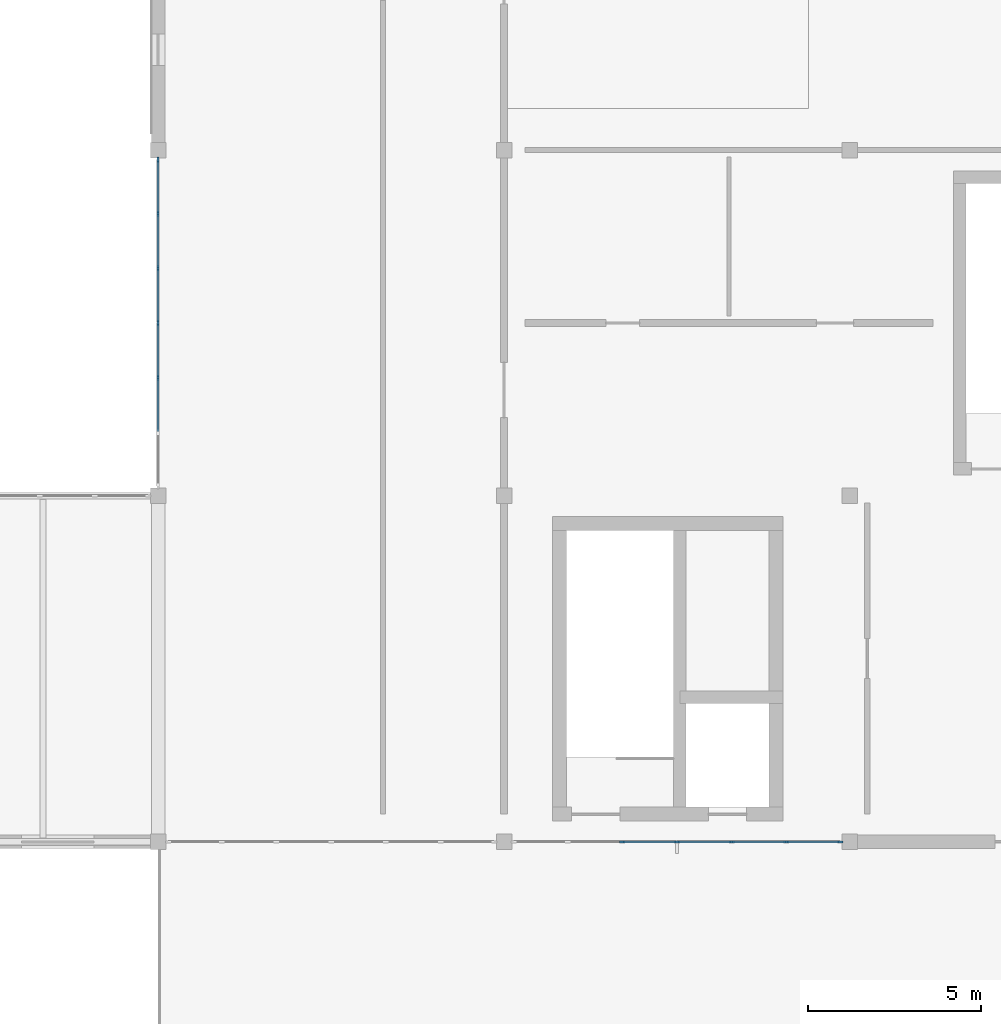
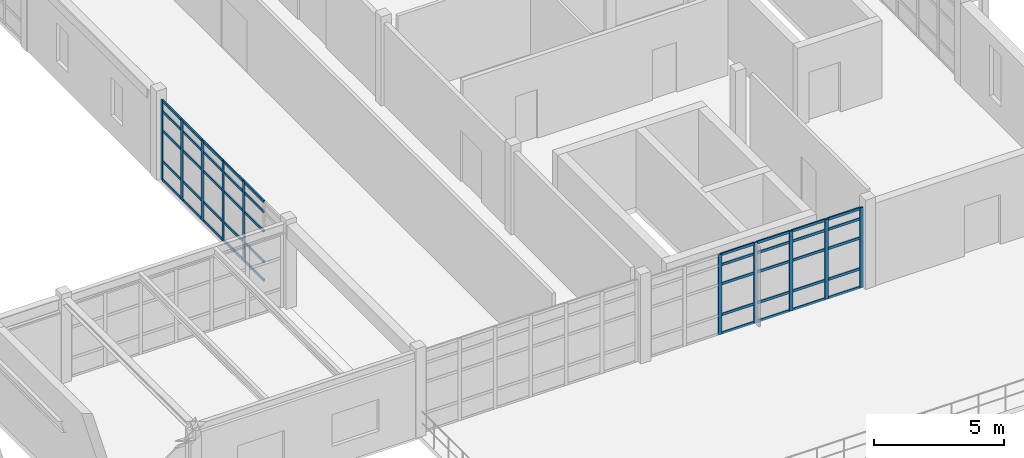
# One storey, part 61 of 122: 55 members, 2 elements without a shape of their own.
"""IFC4 building model written with IfcOpenShell, lengths in metres."""

from ifc_helpers import new_model, si_unit, direction, frame, origin, origin_2d, place, context, subcontext, project, spatial, rectangle, extrude, material, layer, layer_set, material_profile, profile_set, type_object, element, aggregate, save


model = new_model("IFC4")

# Units and contexts
model_context = context("Model", 3, precision=1e-05, world=origin(), true_north=direction((0.0, 1.0)))
body_context = subcontext(model_context, "Body", "Model", "MODEL_VIEW")
ifc_project = project(units=[si_unit("LENGTHUNIT", "METRE"), si_unit("AREAUNIT", "SQUARE_METRE"), si_unit("VOLUMEUNIT", "CUBIC_METRE"), si_unit("PLANEANGLEUNIT", "RADIAN"), si_unit("MASSUNIT", "GRAM", prefix="KILO"), si_unit("THERMODYNAMICTEMPERATUREUNIT", "KELVIN"), si_unit("POWERUNIT", "WATT")], contexts=[model_context])

# Site, building, storey
site_placement = place(None, origin())
site = spatial("IfcSite", under=ifc_project, at=site_placement, CompositionType="ELEMENT")
building_placement = place(site_placement, origin())
building = spatial("IfcBuilding", under=site, at=building_placement, Name="Korenveer Ferry Terminal", CompositionType="ELEMENT")
storey_placement = place(building_placement, frame((0.0, 0.0, 10.199951171875)))
storey = spatial("IfcBuildingStorey", under=building, at=storey_placement, Name="L02", CompositionType="ELEMENT", Elevation=10.199951171875)

# Curtain wall, members
ifc_material_1 = material(Name="Unitised bronze-and-glass curtain wall", Category="glass")
ifc_layer = layer(ifc_material_1, 0.159912109375)
ifc_layer_set = layer_set([ifc_layer], Name="Unitised bronze-and-glass curtain wall")
curtain_wall_type = type_object("IfcCurtainWallType", Name="ENV-CW-87", PredefinedType="USERDEFINED", material=ifc_layer_set)
curtain_wall_1_placement = place(storey_placement, frame((156.2548828125, 20.0, 0.0)))
curtain_wall_1 = element("IfcCurtainWall", 1, at=curtain_wall_1_placement, inside=storey, type_object=curtain_wall_type, Name="Lancet curtain wall CWX-L02-X156-166-Y20-20", ObjectType="UNITISED CURTAIN WALL", PredefinedType="USERDEFINED")
ifc_material_2 = material(Name="Anodised bronze aluminium", Category="aluminium")
ifc_material_profile_1 = material_profile(ifc_material_2, rectangle(XDim=0.06005859375, YDim=0.159912109375, at=origin_2d()), Name="ALU 60x160")
ifc_profile_set_1 = profile_set([ifc_material_profile_1], Name="Anodised bronze aluminium")
member_type_1 = type_object("IfcMemberType", Name="ENV-CWM-60X160", PredefinedType="MULLION", material=ifc_profile_set_1)
member_1_placement = place(storey_placement, frame((159.418212890625, 20.0, 0.0), z_axis=(0.0, 0.0, 1.0), x_axis=(0.0, 1.0, 0.0)))
member_1 = element("IfcMember", 2, at=member_1_placement, type_object=member_type_1, Name="CW-87 mullion 3", PredefinedType="MULLION", context=body_context, shape_type="SweptSolid", body=[
    extrude(rectangle(XDim=0.06005859375, YDim=0.159912109375, at=origin_2d()), origin(), (0.0, 0.0, 1.0), 3.760009765625),
])
member_2_placement = place(storey_placement, frame((161.0, 20.0, 0.0), z_axis=(0.0, 0.0, 1.0), x_axis=(0.0, 1.0, 0.0)))
member_2 = element("IfcMember", 3, at=member_2_placement, type_object=member_type_1, Name="CW-87 mullion 4", PredefinedType="MULLION", context=body_context, shape_type="SweptSolid", body=[
    extrude(rectangle(XDim=0.06005859375, YDim=0.159912109375, at=origin_2d()), origin(), (0.0, 0.0, 1.0), 3.760009765625),
])
member_3_placement = place(storey_placement, frame((162.581787109375, 20.0, 0.0), z_axis=(0.0, 0.0, 1.0), x_axis=(0.0, 1.0, 0.0)))
member_3 = element("IfcMember", 4, at=member_3_placement, type_object=member_type_1, Name="CW-87 mullion 5", PredefinedType="MULLION", context=body_context, shape_type="SweptSolid", body=[
    extrude(rectangle(XDim=0.06005859375, YDim=0.159912109375, at=origin_2d()), origin(), (0.0, 0.0, 1.0), 3.760009765625),
])
member_4_placement = place(storey_placement, frame((164.163330078125, 20.0, 0.0), z_axis=(0.0, 0.0, 1.0), x_axis=(0.0, 1.0, 0.0)))
member_4 = element("IfcMember", 5, at=member_4_placement, type_object=member_type_1, Name="CW-87 mullion 6", PredefinedType="MULLION", context=body_context, shape_type="SweptSolid", body=[
    extrude(rectangle(XDim=0.06005859375, YDim=0.159912109375, at=origin_2d()), origin(), (0.0, 0.0, 1.0), 3.760009765625),
])
member_5_placement = place(storey_placement, frame((165.715087890625, 20.0, 0.0), z_axis=(0.0, 0.0, 1.0), x_axis=(0.0, 1.0, 0.0)))
member_5 = element("IfcMember", 6, at=member_5_placement, type_object=member_type_1, Name="CW-87 mullion 7", PredefinedType="MULLION", context=body_context, shape_type="SweptSolid", body=[
    extrude(rectangle(XDim=0.06005859375, YDim=0.159912109375, at=origin_2d()), origin(), (0.0, 0.0, 1.0), 3.760009765625),
])

curtain_wall_2_placement = place(storey_placement, frame((146.0, 30.2548828125, 0.0)))
curtain_wall_2 = element("IfcCurtainWall", 7, at=curtain_wall_2_placement, inside=storey, type_object=curtain_wall_type, Name="Lancet curtain wall CWX-L02-X146-146-Y30-40", ObjectType="UNITISED CURTAIN WALL", PredefinedType="USERDEFINED")
member_6_placement = place(storey_placement, frame((146.0, 33.418212890625, 0.0), z_axis=(0.0, 0.0, 1.0), x_axis=(-1.0, 0.0, 0.0)))
member_6 = element("IfcMember", 8, at=member_6_placement, type_object=member_type_1, Name="CW-87 mullion 3", PredefinedType="MULLION", context=body_context, shape_type="SweptSolid", body=[
    extrude(rectangle(XDim=0.06005859375, YDim=0.159912109375, at=origin_2d()), origin(), (0.0, 0.0, 1.0), 3.760009765625),
])
member_7_placement = place(storey_placement, frame((146.0, 35.0, 0.0), z_axis=(0.0, 0.0, 1.0), x_axis=(-1.0, 0.0, 0.0)))
member_7 = element("IfcMember", 9, at=member_7_placement, type_object=member_type_1, Name="CW-87 mullion 4", PredefinedType="MULLION", context=body_context, shape_type="SweptSolid", body=[
    extrude(rectangle(XDim=0.06005859375, YDim=0.159912109375, at=origin_2d()), origin(), (0.0, 0.0, 1.0), 3.760009765625),
])
member_8_placement = place(storey_placement, frame((146.0, 36.581787109375, 0.0), z_axis=(0.0, 0.0, 1.0), x_axis=(-1.0, 0.0, 0.0)))
member_8 = element("IfcMember", 10, at=member_8_placement, type_object=member_type_1, Name="CW-87 mullion 5", PredefinedType="MULLION", context=body_context, shape_type="SweptSolid", body=[
    extrude(rectangle(XDim=0.06005859375, YDim=0.159912109375, at=origin_2d()), origin(), (0.0, 0.0, 1.0), 3.760009765625),
])
member_9_placement = place(storey_placement, frame((146.0, 38.163330078125, 0.0), z_axis=(0.0, 0.0, 1.0), x_axis=(-1.0, 0.0, 0.0)))
member_9 = element("IfcMember", 11, at=member_9_placement, type_object=member_type_1, Name="CW-87 mullion 6", PredefinedType="MULLION", context=body_context, shape_type="SweptSolid", body=[
    extrude(rectangle(XDim=0.06005859375, YDim=0.159912109375, at=origin_2d()), origin(), (0.0, 0.0, 1.0), 3.760009765625),
])
member_10_placement = place(storey_placement, frame((146.0, 39.715087890625, 0.0), z_axis=(0.0, 0.0, 1.0), x_axis=(-1.0, 0.0, 0.0)))
member_10 = element("IfcMember", 12, at=member_10_placement, type_object=member_type_1, Name="CW-87 mullion 7", PredefinedType="MULLION", context=body_context, shape_type="SweptSolid", body=[
    extrude(rectangle(XDim=0.06005859375, YDim=0.159912109375, at=origin_2d()), origin(), (0.0, 0.0, 1.0), 3.760009765625),
])

# Member
ifc_material_profile_2 = material_profile(ifc_material_2, rectangle(XDim=0.06005859375, YDim=0.1201171875, at=origin_2d()), Name="ALU 60x120")
ifc_profile_set_2 = profile_set([ifc_material_profile_2], Name="Anodised bronze aluminium")
member_type_2 = type_object("IfcMemberType", Name="ENV-CWT-60X120", PredefinedType="USERDEFINED", material=ifc_profile_set_2)
member_11_placement = place(storey_placement, frame((159.4482421875, 20.0, 0.030029296875), z_axis=(1.0, 0.0, 0.0), x_axis=(0.0, 1.0, 0.0)))
member_11 = element("IfcMember", 13, at=member_11_placement, type_object=member_type_2, Name="CW-87 transom 3.1", ObjectType="TRANSOM", PredefinedType="USERDEFINED", context=body_context, shape_type="SweptSolid", body=[
    extrude(rectangle(XDim=0.06005859375, YDim=0.1201171875, at=origin_2d()), origin(), (0.0, 0.0, 1.0), 1.521728515625),
])

member_12_placement = place(storey_placement, frame((159.4482421875, 20.0, 0.900146484375), z_axis=(1.0, 0.0, 0.0), x_axis=(0.0, 1.0, 0.0)))
member_12 = element("IfcMember", 14, at=member_12_placement, type_object=member_type_2, Name="CW-87 transom 3.2", ObjectType="TRANSOM", PredefinedType="USERDEFINED", context=body_context, shape_type="SweptSolid", body=[
    extrude(rectangle(XDim=0.06005859375, YDim=0.1201171875, at=origin_2d()), origin(), (0.0, 0.0, 1.0), 1.521728515625),
])

member_13_placement = place(storey_placement, frame((159.4482421875, 20.0, 2.35009765625), z_axis=(1.0, 0.0, 0.0), x_axis=(0.0, 1.0, 0.0)))
member_13 = element("IfcMember", 15, at=member_13_placement, type_object=member_type_2, Name="CW-87 transom 3.3", ObjectType="TRANSOM", PredefinedType="USERDEFINED", context=body_context, shape_type="SweptSolid", body=[
    extrude(rectangle(XDim=0.06005859375, YDim=0.1201171875, at=origin_2d()), origin(), (0.0, 0.0, 1.0), 1.521728515625),
])

member_14_placement = place(storey_placement, frame((159.4482421875, 20.0, 3.25), z_axis=(1.0, 0.0, 0.0), x_axis=(0.0, 1.0, 0.0)))
member_14 = element("IfcMember", 16, at=member_14_placement, type_object=member_type_2, Name="CW-87 transom 3.4", ObjectType="TRANSOM", PredefinedType="USERDEFINED", context=body_context, shape_type="SweptSolid", body=[
    extrude(rectangle(XDim=0.06005859375, YDim=0.1201171875, at=origin_2d()), origin(), (0.0, 0.0, 1.0), 1.521728515625),
])

member_15_placement = place(storey_placement, frame((159.4482421875, 20.0, 3.72998046875), z_axis=(1.0, 0.0, 0.0), x_axis=(0.0, 1.0, 0.0)))
member_15 = element("IfcMember", 17, at=member_15_placement, type_object=member_type_2, Name="CW-87 transom 3.5", ObjectType="TRANSOM", PredefinedType="USERDEFINED", context=body_context, shape_type="SweptSolid", body=[
    extrude(rectangle(XDim=0.06005859375, YDim=0.1201171875, at=origin_2d()), origin(), (0.0, 0.0, 1.0), 1.521728515625),
])

member_16_placement = place(storey_placement, frame((161.030029296875, 20.0, 0.030029296875), z_axis=(1.0, 0.0, 0.0), x_axis=(0.0, 1.0, 0.0)))
member_16 = element("IfcMember", 18, at=member_16_placement, type_object=member_type_2, Name="CW-87 transom 4.1", ObjectType="TRANSOM", PredefinedType="USERDEFINED", context=body_context, shape_type="SweptSolid", body=[
    extrude(rectangle(XDim=0.06005859375, YDim=0.1201171875, at=origin_2d()), origin(), (0.0, 0.0, 1.0), 1.521728515625),
])

member_17_placement = place(storey_placement, frame((161.030029296875, 20.0, 0.900146484375), z_axis=(1.0, 0.0, 0.0), x_axis=(0.0, 1.0, 0.0)))
member_17 = element("IfcMember", 19, at=member_17_placement, type_object=member_type_2, Name="CW-87 transom 4.2", ObjectType="TRANSOM", PredefinedType="USERDEFINED", context=body_context, shape_type="SweptSolid", body=[
    extrude(rectangle(XDim=0.06005859375, YDim=0.1201171875, at=origin_2d()), origin(), (0.0, 0.0, 1.0), 1.521728515625),
])

member_18_placement = place(storey_placement, frame((161.030029296875, 20.0, 2.35009765625), z_axis=(1.0, 0.0, 0.0), x_axis=(0.0, 1.0, 0.0)))
member_18 = element("IfcMember", 20, at=member_18_placement, type_object=member_type_2, Name="CW-87 transom 4.3", ObjectType="TRANSOM", PredefinedType="USERDEFINED", context=body_context, shape_type="SweptSolid", body=[
    extrude(rectangle(XDim=0.06005859375, YDim=0.1201171875, at=origin_2d()), origin(), (0.0, 0.0, 1.0), 1.521728515625),
])

member_19_placement = place(storey_placement, frame((161.030029296875, 20.0, 3.25), z_axis=(1.0, 0.0, 0.0), x_axis=(0.0, 1.0, 0.0)))
member_19 = element("IfcMember", 21, at=member_19_placement, type_object=member_type_2, Name="CW-87 transom 4.4", ObjectType="TRANSOM", PredefinedType="USERDEFINED", context=body_context, shape_type="SweptSolid", body=[
    extrude(rectangle(XDim=0.06005859375, YDim=0.1201171875, at=origin_2d()), origin(), (0.0, 0.0, 1.0), 1.521728515625),
])

member_20_placement = place(storey_placement, frame((161.030029296875, 20.0, 3.72998046875), z_axis=(1.0, 0.0, 0.0), x_axis=(0.0, 1.0, 0.0)))
member_20 = element("IfcMember", 22, at=member_20_placement, type_object=member_type_2, Name="CW-87 transom 4.5", ObjectType="TRANSOM", PredefinedType="USERDEFINED", context=body_context, shape_type="SweptSolid", body=[
    extrude(rectangle(XDim=0.06005859375, YDim=0.1201171875, at=origin_2d()), origin(), (0.0, 0.0, 1.0), 1.521728515625),
])

member_21_placement = place(storey_placement, frame((162.611572265625, 20.0, 0.030029296875), z_axis=(1.0, 0.0, 0.0), x_axis=(0.0, 1.0, 0.0)))
member_21 = element("IfcMember", 23, at=member_21_placement, type_object=member_type_2, Name="CW-87 transom 5.1", ObjectType="TRANSOM", PredefinedType="USERDEFINED", context=body_context, shape_type="SweptSolid", body=[
    extrude(rectangle(XDim=0.06005859375, YDim=0.1201171875, at=origin_2d()), origin(), (0.0, 0.0, 1.0), 1.521728515625),
])

member_22_placement = place(storey_placement, frame((162.611572265625, 20.0, 0.900146484375), z_axis=(1.0, 0.0, 0.0), x_axis=(0.0, 1.0, 0.0)))
member_22 = element("IfcMember", 24, at=member_22_placement, type_object=member_type_2, Name="CW-87 transom 5.2", ObjectType="TRANSOM", PredefinedType="USERDEFINED", context=body_context, shape_type="SweptSolid", body=[
    extrude(rectangle(XDim=0.06005859375, YDim=0.1201171875, at=origin_2d()), origin(), (0.0, 0.0, 1.0), 1.521728515625),
])

member_23_placement = place(storey_placement, frame((162.611572265625, 20.0, 2.35009765625), z_axis=(1.0, 0.0, 0.0), x_axis=(0.0, 1.0, 0.0)))
member_23 = element("IfcMember", 25, at=member_23_placement, type_object=member_type_2, Name="CW-87 transom 5.3", ObjectType="TRANSOM", PredefinedType="USERDEFINED", context=body_context, shape_type="SweptSolid", body=[
    extrude(rectangle(XDim=0.06005859375, YDim=0.1201171875, at=origin_2d()), origin(), (0.0, 0.0, 1.0), 1.521728515625),
])

member_24_placement = place(storey_placement, frame((162.611572265625, 20.0, 3.25), z_axis=(1.0, 0.0, 0.0), x_axis=(0.0, 1.0, 0.0)))
member_24 = element("IfcMember", 26, at=member_24_placement, type_object=member_type_2, Name="CW-87 transom 5.4", ObjectType="TRANSOM", PredefinedType="USERDEFINED", context=body_context, shape_type="SweptSolid", body=[
    extrude(rectangle(XDim=0.06005859375, YDim=0.1201171875, at=origin_2d()), origin(), (0.0, 0.0, 1.0), 1.521728515625),
])

member_25_placement = place(storey_placement, frame((162.611572265625, 20.0, 3.72998046875), z_axis=(1.0, 0.0, 0.0), x_axis=(0.0, 1.0, 0.0)))
member_25 = element("IfcMember", 27, at=member_25_placement, type_object=member_type_2, Name="CW-87 transom 5.5", ObjectType="TRANSOM", PredefinedType="USERDEFINED", context=body_context, shape_type="SweptSolid", body=[
    extrude(rectangle(XDim=0.06005859375, YDim=0.1201171875, at=origin_2d()), origin(), (0.0, 0.0, 1.0), 1.521728515625),
])

member_26_placement = place(storey_placement, frame((164.193359375, 20.0, 0.030029296875), z_axis=(1.0, 0.0, 0.0), x_axis=(0.0, 1.0, 0.0)))
member_26 = element("IfcMember", 28, at=member_26_placement, type_object=member_type_2, Name="CW-87 transom 6.1", ObjectType="TRANSOM", PredefinedType="USERDEFINED", context=body_context, shape_type="SweptSolid", body=[
    extrude(rectangle(XDim=0.06005859375, YDim=0.1201171875, at=origin_2d()), origin(), (0.0, 0.0, 1.0), 1.49169921875),
])

member_27_placement = place(storey_placement, frame((164.193359375, 20.0, 0.900146484375), z_axis=(1.0, 0.0, 0.0), x_axis=(0.0, 1.0, 0.0)))
member_27 = element("IfcMember", 29, at=member_27_placement, type_object=member_type_2, Name="CW-87 transom 6.2", ObjectType="TRANSOM", PredefinedType="USERDEFINED", context=body_context, shape_type="SweptSolid", body=[
    extrude(rectangle(XDim=0.06005859375, YDim=0.1201171875, at=origin_2d()), origin(), (0.0, 0.0, 1.0), 1.49169921875),
])

member_28_placement = place(storey_placement, frame((164.193359375, 20.0, 2.35009765625), z_axis=(1.0, 0.0, 0.0), x_axis=(0.0, 1.0, 0.0)))
member_28 = element("IfcMember", 30, at=member_28_placement, type_object=member_type_2, Name="CW-87 transom 6.3", ObjectType="TRANSOM", PredefinedType="USERDEFINED", context=body_context, shape_type="SweptSolid", body=[
    extrude(rectangle(XDim=0.06005859375, YDim=0.1201171875, at=origin_2d()), origin(), (0.0, 0.0, 1.0), 1.49169921875),
])

member_29_placement = place(storey_placement, frame((164.193359375, 20.0, 3.25), z_axis=(1.0, 0.0, 0.0), x_axis=(0.0, 1.0, 0.0)))
member_29 = element("IfcMember", 31, at=member_29_placement, type_object=member_type_2, Name="CW-87 transom 6.4", ObjectType="TRANSOM", PredefinedType="USERDEFINED", context=body_context, shape_type="SweptSolid", body=[
    extrude(rectangle(XDim=0.06005859375, YDim=0.1201171875, at=origin_2d()), origin(), (0.0, 0.0, 1.0), 1.49169921875),
])

member_30_placement = place(storey_placement, frame((164.193359375, 20.0, 3.72998046875), z_axis=(1.0, 0.0, 0.0), x_axis=(0.0, 1.0, 0.0)))
member_30 = element("IfcMember", 32, at=member_30_placement, type_object=member_type_2, Name="CW-87 transom 6.5", ObjectType="TRANSOM", PredefinedType="USERDEFINED", context=body_context, shape_type="SweptSolid", body=[
    extrude(rectangle(XDim=0.06005859375, YDim=0.1201171875, at=origin_2d()), origin(), (0.0, 0.0, 1.0), 1.49169921875),
])

aggregate(curtain_wall_1, [member_1, member_2, member_3, member_4, member_5, member_11, member_12, member_13, member_14, member_15, member_16, member_17, member_18, member_19, member_20, member_21, member_22, member_23, member_24, member_25, member_26, member_27, member_28, member_29, member_30])

member_31_placement = place(storey_placement, frame((146.0, 31.86669921875, 0.030029296875), z_axis=(0.0, 1.0, 0.0), x_axis=(-1.0, 0.0, 0.0)))
member_31 = element("IfcMember", 33, at=member_31_placement, type_object=member_type_2, Name="CW-87 transom 2.1", ObjectType="TRANSOM", PredefinedType="USERDEFINED", context=body_context, shape_type="SweptSolid", body=[
    extrude(rectangle(XDim=0.06005859375, YDim=0.1201171875, at=origin_2d()), origin(), (0.0, 0.0, 1.0), 1.521728515625),
])

member_32_placement = place(storey_placement, frame((146.0, 31.86669921875, 0.900146484375), z_axis=(0.0, 1.0, 0.0), x_axis=(-1.0, 0.0, 0.0)))
member_32 = element("IfcMember", 34, at=member_32_placement, type_object=member_type_2, Name="CW-87 transom 2.2", ObjectType="TRANSOM", PredefinedType="USERDEFINED", context=body_context, shape_type="SweptSolid", body=[
    extrude(rectangle(XDim=0.06005859375, YDim=0.1201171875, at=origin_2d()), origin(), (0.0, 0.0, 1.0), 1.521728515625),
])

member_33_placement = place(storey_placement, frame((146.0, 31.86669921875, 2.35009765625), z_axis=(0.0, 1.0, 0.0), x_axis=(-1.0, 0.0, 0.0)))
member_33 = element("IfcMember", 35, at=member_33_placement, type_object=member_type_2, Name="CW-87 transom 2.3", ObjectType="TRANSOM", PredefinedType="USERDEFINED", context=body_context, shape_type="SweptSolid", body=[
    extrude(rectangle(XDim=0.06005859375, YDim=0.1201171875, at=origin_2d()), origin(), (0.0, 0.0, 1.0), 1.521728515625),
])

member_34_placement = place(storey_placement, frame((146.0, 31.86669921875, 3.25), z_axis=(0.0, 1.0, 0.0), x_axis=(-1.0, 0.0, 0.0)))
member_34 = element("IfcMember", 36, at=member_34_placement, type_object=member_type_2, Name="CW-87 transom 2.4", ObjectType="TRANSOM", PredefinedType="USERDEFINED", context=body_context, shape_type="SweptSolid", body=[
    extrude(rectangle(XDim=0.06005859375, YDim=0.1201171875, at=origin_2d()), origin(), (0.0, 0.0, 1.0), 1.521728515625),
])

member_35_placement = place(storey_placement, frame((146.0, 31.86669921875, 3.72998046875), z_axis=(0.0, 1.0, 0.0), x_axis=(-1.0, 0.0, 0.0)))
member_35 = element("IfcMember", 37, at=member_35_placement, type_object=member_type_2, Name="CW-87 transom 2.5", ObjectType="TRANSOM", PredefinedType="USERDEFINED", context=body_context, shape_type="SweptSolid", body=[
    extrude(rectangle(XDim=0.06005859375, YDim=0.1201171875, at=origin_2d()), origin(), (0.0, 0.0, 1.0), 1.521728515625),
])

member_36_placement = place(storey_placement, frame((146.0, 33.4482421875, 0.030029296875), z_axis=(0.0, 1.0, 0.0), x_axis=(-1.0, 0.0, 0.0)))
member_36 = element("IfcMember", 38, at=member_36_placement, type_object=member_type_2, Name="CW-87 transom 3.1", ObjectType="TRANSOM", PredefinedType="USERDEFINED", context=body_context, shape_type="SweptSolid", body=[
    extrude(rectangle(XDim=0.06005859375, YDim=0.1201171875, at=origin_2d()), origin(), (0.0, 0.0, 1.0), 1.521728515625),
])

member_37_placement = place(storey_placement, frame((146.0, 33.4482421875, 0.900146484375), z_axis=(0.0, 1.0, 0.0), x_axis=(-1.0, 0.0, 0.0)))
member_37 = element("IfcMember", 39, at=member_37_placement, type_object=member_type_2, Name="CW-87 transom 3.2", ObjectType="TRANSOM", PredefinedType="USERDEFINED", context=body_context, shape_type="SweptSolid", body=[
    extrude(rectangle(XDim=0.06005859375, YDim=0.1201171875, at=origin_2d()), origin(), (0.0, 0.0, 1.0), 1.521728515625),
])

member_38_placement = place(storey_placement, frame((146.0, 33.4482421875, 2.35009765625), z_axis=(0.0, 1.0, 0.0), x_axis=(-1.0, 0.0, 0.0)))
member_38 = element("IfcMember", 40, at=member_38_placement, type_object=member_type_2, Name="CW-87 transom 3.3", ObjectType="TRANSOM", PredefinedType="USERDEFINED", context=body_context, shape_type="SweptSolid", body=[
    extrude(rectangle(XDim=0.06005859375, YDim=0.1201171875, at=origin_2d()), origin(), (0.0, 0.0, 1.0), 1.521728515625),
])

member_39_placement = place(storey_placement, frame((146.0, 33.4482421875, 3.25), z_axis=(0.0, 1.0, 0.0), x_axis=(-1.0, 0.0, 0.0)))
member_39 = element("IfcMember", 41, at=member_39_placement, type_object=member_type_2, Name="CW-87 transom 3.4", ObjectType="TRANSOM", PredefinedType="USERDEFINED", context=body_context, shape_type="SweptSolid", body=[
    extrude(rectangle(XDim=0.06005859375, YDim=0.1201171875, at=origin_2d()), origin(), (0.0, 0.0, 1.0), 1.521728515625),
])

member_40_placement = place(storey_placement, frame((146.0, 33.4482421875, 3.72998046875), z_axis=(0.0, 1.0, 0.0), x_axis=(-1.0, 0.0, 0.0)))
member_40 = element("IfcMember", 42, at=member_40_placement, type_object=member_type_2, Name="CW-87 transom 3.5", ObjectType="TRANSOM", PredefinedType="USERDEFINED", context=body_context, shape_type="SweptSolid", body=[
    extrude(rectangle(XDim=0.06005859375, YDim=0.1201171875, at=origin_2d()), origin(), (0.0, 0.0, 1.0), 1.521728515625),
])

member_41_placement = place(storey_placement, frame((146.0, 35.030029296875, 0.030029296875), z_axis=(0.0, 1.0, 0.0), x_axis=(-1.0, 0.0, 0.0)))
member_41 = element("IfcMember", 43, at=member_41_placement, type_object=member_type_2, Name="CW-87 transom 4.1", ObjectType="TRANSOM", PredefinedType="USERDEFINED", context=body_context, shape_type="SweptSolid", body=[
    extrude(rectangle(XDim=0.06005859375, YDim=0.1201171875, at=origin_2d()), origin(), (0.0, 0.0, 1.0), 1.521728515625),
])

member_42_placement = place(storey_placement, frame((146.0, 35.030029296875, 0.900146484375), z_axis=(0.0, 1.0, 0.0), x_axis=(-1.0, 0.0, 0.0)))
member_42 = element("IfcMember", 44, at=member_42_placement, type_object=member_type_2, Name="CW-87 transom 4.2", ObjectType="TRANSOM", PredefinedType="USERDEFINED", context=body_context, shape_type="SweptSolid", body=[
    extrude(rectangle(XDim=0.06005859375, YDim=0.1201171875, at=origin_2d()), origin(), (0.0, 0.0, 1.0), 1.521728515625),
])

member_43_placement = place(storey_placement, frame((146.0, 35.030029296875, 2.35009765625), z_axis=(0.0, 1.0, 0.0), x_axis=(-1.0, 0.0, 0.0)))
member_43 = element("IfcMember", 45, at=member_43_placement, type_object=member_type_2, Name="CW-87 transom 4.3", ObjectType="TRANSOM", PredefinedType="USERDEFINED", context=body_context, shape_type="SweptSolid", body=[
    extrude(rectangle(XDim=0.06005859375, YDim=0.1201171875, at=origin_2d()), origin(), (0.0, 0.0, 1.0), 1.521728515625),
])

member_44_placement = place(storey_placement, frame((146.0, 35.030029296875, 3.25), z_axis=(0.0, 1.0, 0.0), x_axis=(-1.0, 0.0, 0.0)))
member_44 = element("IfcMember", 46, at=member_44_placement, type_object=member_type_2, Name="CW-87 transom 4.4", ObjectType="TRANSOM", PredefinedType="USERDEFINED", context=body_context, shape_type="SweptSolid", body=[
    extrude(rectangle(XDim=0.06005859375, YDim=0.1201171875, at=origin_2d()), origin(), (0.0, 0.0, 1.0), 1.521728515625),
])

member_45_placement = place(storey_placement, frame((146.0, 35.030029296875, 3.72998046875), z_axis=(0.0, 1.0, 0.0), x_axis=(-1.0, 0.0, 0.0)))
member_45 = element("IfcMember", 47, at=member_45_placement, type_object=member_type_2, Name="CW-87 transom 4.5", ObjectType="TRANSOM", PredefinedType="USERDEFINED", context=body_context, shape_type="SweptSolid", body=[
    extrude(rectangle(XDim=0.06005859375, YDim=0.1201171875, at=origin_2d()), origin(), (0.0, 0.0, 1.0), 1.521728515625),
])

member_46_placement = place(storey_placement, frame((146.0, 36.611572265625, 0.030029296875), z_axis=(0.0, 1.0, 0.0), x_axis=(-1.0, 0.0, 0.0)))
member_46 = element("IfcMember", 48, at=member_46_placement, type_object=member_type_2, Name="CW-87 transom 5.1", ObjectType="TRANSOM", PredefinedType="USERDEFINED", context=body_context, shape_type="SweptSolid", body=[
    extrude(rectangle(XDim=0.06005859375, YDim=0.1201171875, at=origin_2d()), origin(), (0.0, 0.0, 1.0), 1.521728515625),
])

member_47_placement = place(storey_placement, frame((146.0, 36.611572265625, 0.900146484375), z_axis=(0.0, 1.0, 0.0), x_axis=(-1.0, 0.0, 0.0)))
member_47 = element("IfcMember", 49, at=member_47_placement, type_object=member_type_2, Name="CW-87 transom 5.2", ObjectType="TRANSOM", PredefinedType="USERDEFINED", context=body_context, shape_type="SweptSolid", body=[
    extrude(rectangle(XDim=0.06005859375, YDim=0.1201171875, at=origin_2d()), origin(), (0.0, 0.0, 1.0), 1.521728515625),
])

member_48_placement = place(storey_placement, frame((146.0, 36.611572265625, 2.35009765625), z_axis=(0.0, 1.0, 0.0), x_axis=(-1.0, 0.0, 0.0)))
member_48 = element("IfcMember", 50, at=member_48_placement, type_object=member_type_2, Name="CW-87 transom 5.3", ObjectType="TRANSOM", PredefinedType="USERDEFINED", context=body_context, shape_type="SweptSolid", body=[
    extrude(rectangle(XDim=0.06005859375, YDim=0.1201171875, at=origin_2d()), origin(), (0.0, 0.0, 1.0), 1.521728515625),
])

member_49_placement = place(storey_placement, frame((146.0, 36.611572265625, 3.25), z_axis=(0.0, 1.0, 0.0), x_axis=(-1.0, 0.0, 0.0)))
member_49 = element("IfcMember", 51, at=member_49_placement, type_object=member_type_2, Name="CW-87 transom 5.4", ObjectType="TRANSOM", PredefinedType="USERDEFINED", context=body_context, shape_type="SweptSolid", body=[
    extrude(rectangle(XDim=0.06005859375, YDim=0.1201171875, at=origin_2d()), origin(), (0.0, 0.0, 1.0), 1.521728515625),
])

member_50_placement = place(storey_placement, frame((146.0, 36.611572265625, 3.72998046875), z_axis=(0.0, 1.0, 0.0), x_axis=(-1.0, 0.0, 0.0)))
member_50 = element("IfcMember", 52, at=member_50_placement, type_object=member_type_2, Name="CW-87 transom 5.5", ObjectType="TRANSOM", PredefinedType="USERDEFINED", context=body_context, shape_type="SweptSolid", body=[
    extrude(rectangle(XDim=0.06005859375, YDim=0.1201171875, at=origin_2d()), origin(), (0.0, 0.0, 1.0), 1.521728515625),
])

member_51_placement = place(storey_placement, frame((146.0, 38.193359375, 0.030029296875), z_axis=(0.0, 1.0, 0.0), x_axis=(-1.0, 0.0, 0.0)))
member_51 = element("IfcMember", 53, at=member_51_placement, type_object=member_type_2, Name="CW-87 transom 6.1", ObjectType="TRANSOM", PredefinedType="USERDEFINED", context=body_context, shape_type="SweptSolid", body=[
    extrude(rectangle(XDim=0.06005859375, YDim=0.1201171875, at=origin_2d()), origin(), (0.0, 0.0, 1.0), 1.49169921875),
])

member_52_placement = place(storey_placement, frame((146.0, 38.193359375, 0.900146484375), z_axis=(0.0, 1.0, 0.0), x_axis=(-1.0, 0.0, 0.0)))
member_52 = element("IfcMember", 54, at=member_52_placement, type_object=member_type_2, Name="CW-87 transom 6.2", ObjectType="TRANSOM", PredefinedType="USERDEFINED", context=body_context, shape_type="SweptSolid", body=[
    extrude(rectangle(XDim=0.06005859375, YDim=0.1201171875, at=origin_2d()), origin(), (0.0, 0.0, 1.0), 1.49169921875),
])

member_53_placement = place(storey_placement, frame((146.0, 38.193359375, 2.35009765625), z_axis=(0.0, 1.0, 0.0), x_axis=(-1.0, 0.0, 0.0)))
member_53 = element("IfcMember", 55, at=member_53_placement, type_object=member_type_2, Name="CW-87 transom 6.3", ObjectType="TRANSOM", PredefinedType="USERDEFINED", context=body_context, shape_type="SweptSolid", body=[
    extrude(rectangle(XDim=0.06005859375, YDim=0.1201171875, at=origin_2d()), origin(), (0.0, 0.0, 1.0), 1.49169921875),
])

member_54_placement = place(storey_placement, frame((146.0, 38.193359375, 3.25), z_axis=(0.0, 1.0, 0.0), x_axis=(-1.0, 0.0, 0.0)))
member_54 = element("IfcMember", 56, at=member_54_placement, type_object=member_type_2, Name="CW-87 transom 6.4", ObjectType="TRANSOM", PredefinedType="USERDEFINED", context=body_context, shape_type="SweptSolid", body=[
    extrude(rectangle(XDim=0.06005859375, YDim=0.1201171875, at=origin_2d()), origin(), (0.0, 0.0, 1.0), 1.49169921875),
])

member_55_placement = place(storey_placement, frame((146.0, 38.193359375, 3.72998046875), z_axis=(0.0, 1.0, 0.0), x_axis=(-1.0, 0.0, 0.0)))
member_55 = element("IfcMember", 57, at=member_55_placement, type_object=member_type_2, Name="CW-87 transom 6.5", ObjectType="TRANSOM", PredefinedType="USERDEFINED", context=body_context, shape_type="SweptSolid", body=[
    extrude(rectangle(XDim=0.06005859375, YDim=0.1201171875, at=origin_2d()), origin(), (0.0, 0.0, 1.0), 1.49169921875),
])

aggregate(curtain_wall_2, [member_6, member_7, member_8, member_9, member_10, member_31, member_32, member_33, member_34, member_35, member_36, member_37, member_38, member_39, member_40, member_41, member_42, member_43, member_44, member_45, member_46, member_47, member_48, member_49, member_50, member_51, member_52, member_53, member_54, member_55])

save(model, "model.ifc")
